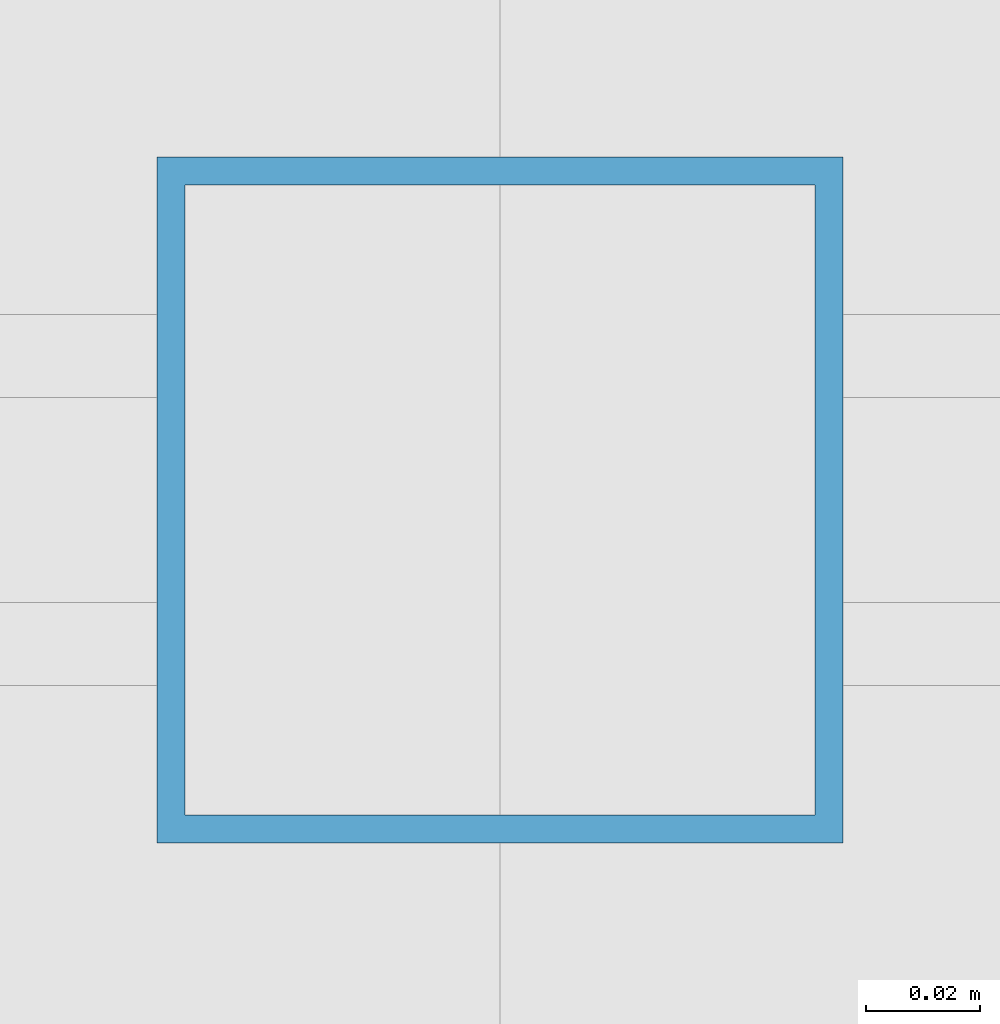
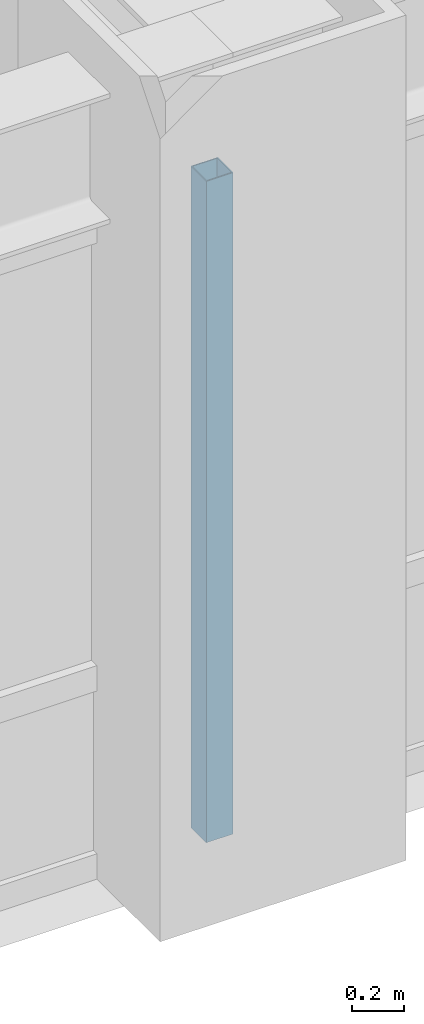
# One storey, part 4 of 25: 1 member, 1 element without a shape of its own.
"""IFC4 building model written with IfcOpenShell, lengths in metres."""

from ifc_helpers import new_model, si_unit, direction, frame, origin, origin_2d, place, context, subcontext, project, spatial, hollow_rectangle, extrude, source, transform, mapped, material, material_profile, profile_set, type_object, element, aggregate, save


model = new_model("IFC4")

# Units and contexts
model_context = context("Model", 3, precision=1e-05, world=origin(), true_north=direction((0.0, 1.0)))
body_context = subcontext(model_context, "Body", "Model", "MODEL_VIEW")
ifc_project = project(units=[si_unit("LENGTHUNIT", "METRE"), si_unit("AREAUNIT", "SQUARE_METRE"), si_unit("VOLUMEUNIT", "CUBIC_METRE"), si_unit("PLANEANGLEUNIT", "RADIAN"), si_unit("MASSUNIT", "GRAM", prefix="KILO")], contexts=[model_context])

# Site, building, storey
site_placement = place(None, origin())
site = spatial("IfcSite", under=ifc_project, at=site_placement, CompositionType="ELEMENT")
building_placement = place(site_placement, origin())
building = spatial("IfcBuilding", under=site, at=building_placement, Name="Khorayat Bourse Tower", CompositionType="ELEMENT")
storey_placement = place(building_placement, frame((0.0, 0.0, 195.10009765625)))
storey = spatial("IfcBuildingStorey", under=building, at=storey_placement, Name="L45", CompositionType="ELEMENT", Elevation=195.10009765625)

# Curtain wall, member
ifc_material = material(Name="Aluminium EN AW-6063 T6", Category="aluminium")
curtain_wall_type = type_object("IfcCurtainWallType", Name="CW-SYS-03", PredefinedType="NOTDEFINED", material=ifc_material)
curtain_wall_placement = place(storey_placement, origin())
curtain_wall = element("IfcCurtainWall", 1, at=curtain_wall_placement, inside=storey, type_object=curtain_wall_type, Name="L45 Curtain Wall CW-L45-S1", PredefinedType="NOTDEFINED")
ifc_material_profile = material_profile(ifc_material, hollow_rectangle(XDim=0.1201171875, YDim=0.1201171875, WallThickness=0.0048828125, at=origin_2d()), Name="ALU 120x120x5")
ifc_profile_set = profile_set([ifc_material_profile], Name="Aluminium EN AW-6063 T6")
member_type = type_object("IfcMemberType", Name="CWM-VERT-120", PredefinedType="MULLION", material=ifc_profile_set)
shared_shape = source(origin(), body_context, "Body", "SweptSolid", [
    extrude(hollow_rectangle(XDim=0.1201171875, YDim=0.1201171875, WallThickness=0.0048828125, at=origin_2d()), origin(), (0.0, 0.0, 1.0), 3.1298828125),
])
member_placement = place(storey_placement, frame((0.0, -30.0, 0.0), z_axis=(0.0, 0.0, 1.0), x_axis=(0.0, 1.0, 0.0)))
member = element("IfcMember", 2, at=member_placement, type_object=member_type, Name="CW-L45-S1 Vertical Mullion 2", PredefinedType="MULLION", context=body_context, shape_type="MappedRepresentation", body=[
    mapped(shared_shape, transform((0.0, 0.0, 0.0), scale=1.0)),
])
aggregate(curtain_wall, [member])

save(model, "model.ifc")
